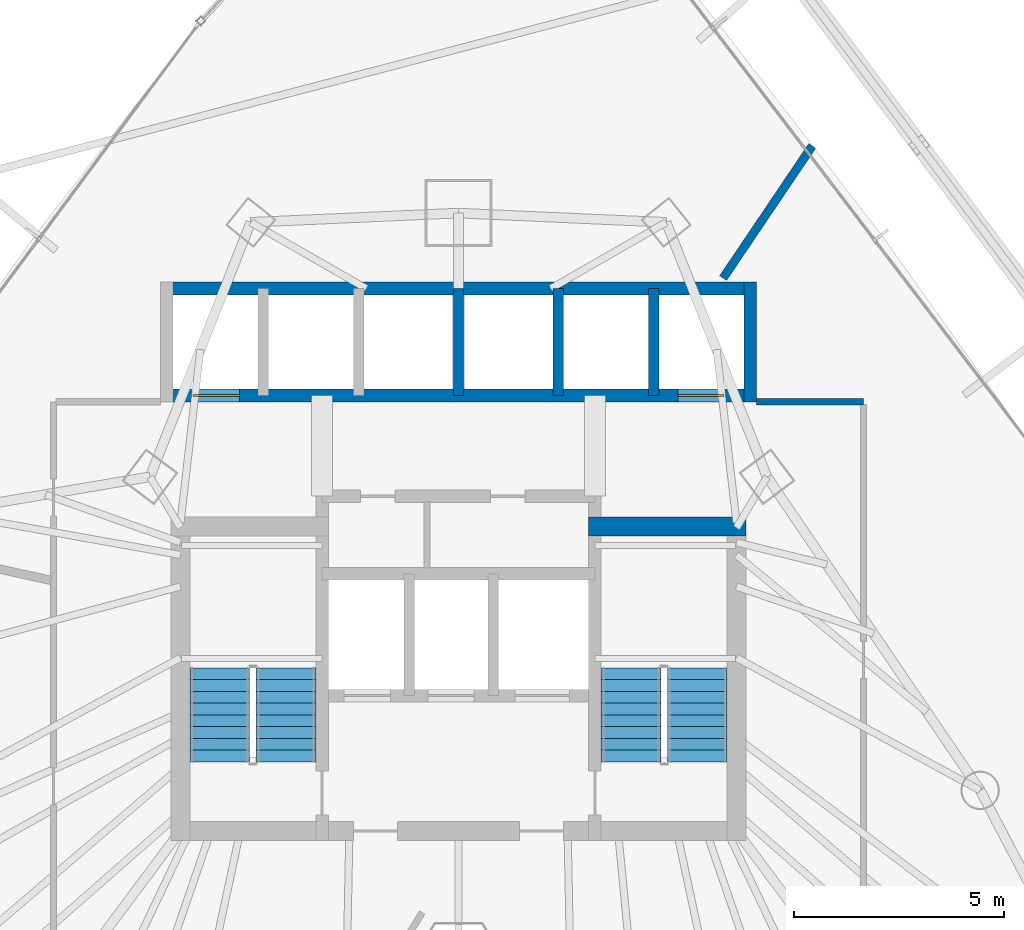
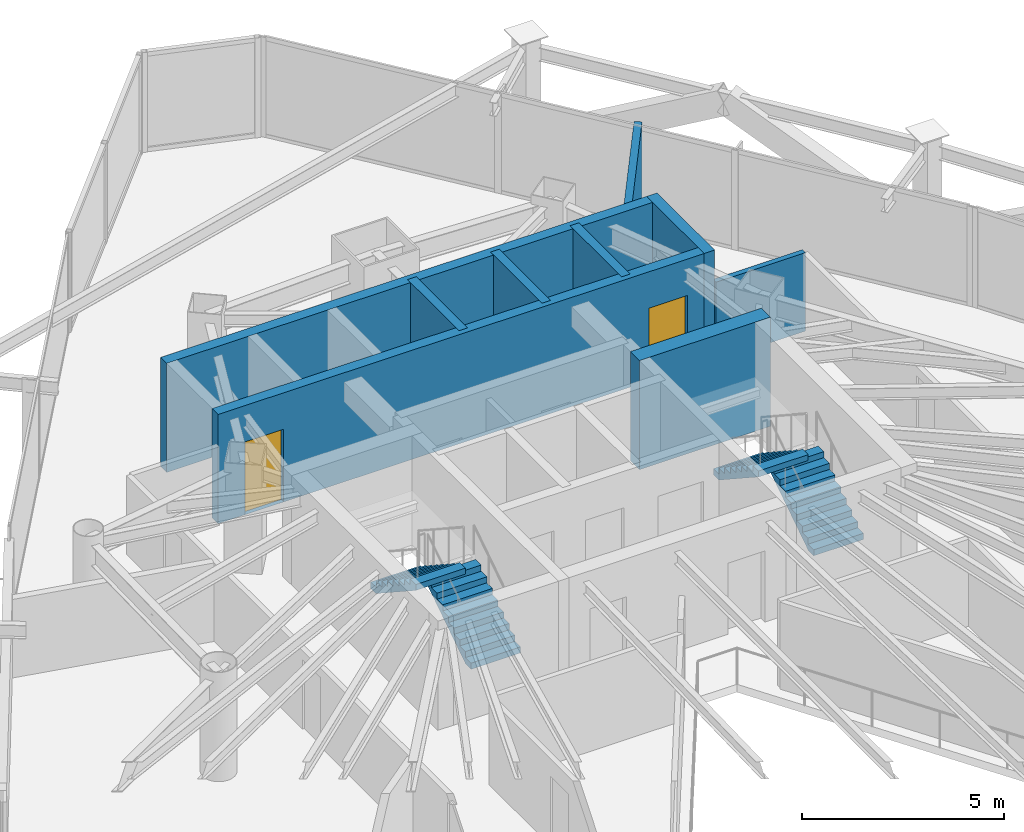
# One storey, part 34 of 38: 9 walls, 4 stair flights, 2 doors, 2 openings, 2 elements without a shape of their own.
"""IFC4 building model written with IfcOpenShell, lengths in metres."""

from ifc_helpers import new_model, si_unit, direction, frame, frame_2d, origin, place, context, subcontext, project, spatial, polyline, rectangle, outline, extrude, material, layer, layer_set, type_object, element, fill, aggregate, save


model = new_model("IFC4")

# Units and contexts
model_context = context("Model", 3, precision=1e-05, world=origin(), true_north=direction((0.0, 1.0)))
body_context = subcontext(model_context, "Body", "Model", "MODEL_VIEW")
ifc_project = project(units=[si_unit("LENGTHUNIT", "METRE"), si_unit("AREAUNIT", "SQUARE_METRE"), si_unit("VOLUMEUNIT", "CUBIC_METRE"), si_unit("PLANEANGLEUNIT", "RADIAN"), si_unit("MASSUNIT", "GRAM", prefix="KILO")], contexts=[model_context])

# Site, building, storey
site_placement = place(None, origin())
site = spatial("IfcSite", under=ifc_project, at=site_placement, CompositionType="ELEMENT")
building_placement = place(site_placement, origin())
building = spatial("IfcBuilding", under=site, at=building_placement, Name="Orvanel Arch Residences", CompositionType="ELEMENT")
storey_placement = place(building_placement, frame((0.0, 0.0, 56.60009765625)))
storey = spatial("IfcBuildingStorey", under=building, at=storey_placement, Name="L15", CompositionType="ELEMENT", Elevation=56.60009765625)

# Walls
ifc_material_1 = material(Name="Concrete N50 (50 MPa)", Category="concrete")
ifc_layer_1 = layer(ifc_material_1, 0.25)
ifc_layer_set_1 = layer_set([ifc_layer_1], Name="Concrete N50 (50 MPa)")
wall_type_1 = type_object("IfcWallType", Name="SW-CORE-250", PredefinedType="SHEAR", material=ifc_layer_set_1)
for number, where, z_axis, x_axis, name in (
    (1, (33.0, 37.050048828125, 0.0), (0.0, 0.0, 1.0), (0.0, 1.0, 0.0), "L15 Passenger Lift Inter-Shaft Wall P56"),
    (2, (35.375, 37.050048828125, 0.0), (0.0, 0.0, 1.0), (0.0, 1.0, 0.0), "L15 Passenger Lift Inter-Shaft Wall P64"),
    (3, (37.64990234375, 37.050048828125, 0.0), (0.0, 0.0, 1.0), (0.0, 1.0, 0.0), "L15 Passenger Lift Inter-Shaft Wall P42"),
):
    element("IfcWall", number, at=place(storey_placement, frame(where, z_axis=z_axis, x_axis=x_axis)), inside=storey, type_object=wall_type_1, Name=name, PredefinedType="SHEAR", context=body_context, shape_type="SweptSolid", body=[
        extrude(rectangle(XDim=2.550048828125, YDim=0.25, at=frame_2d((1.27490234375, 0.0))), origin(), (0.0, 0.0, 1.0), 3.2998046875),
    ])

# Wall, openings, doors
ifc_material_2 = material(Name="Concrete S80 (80 MPa)", Category="concrete")
ifc_layer_2 = layer(ifc_material_2, 0.300048828125)
ifc_layer_set_2 = layer_set([ifc_layer_2], Name="Concrete S80 (80 MPa)")
wall_type_2 = type_object("IfcWallType", Name="SW-CORE-300", PredefinedType="SHEAR", material=ifc_layer_set_2)
wall_1_placement = place(storey_placement, frame((40.10009765625, 37.050048828125, 0.0), z_axis=(0.0, 0.0, 1.0), x_axis=(-1.0, 0.0, 0.0)))
wall_1 = element("IfcWall", 4, at=wall_1_placement, inside=storey, type_object=wall_type_2, Name="L15 Passenger Lift Bank Front Shear Wall", PredefinedType="SHEAR", context=body_context, shape_type="SweptSolid", body=[
    extrude(rectangle(XDim=14.2001953125, YDim=0.300048828125, at=frame_2d((7.10009765625, 0.0))), origin(), (0.0, 0.0, 1.0), 3.2998046875),
])
opening_1_placement = place(wall_1_placement, frame((12.324951171875, 0.0, 0.0)))
opening_1 = element("IfcOpeningElement", 5, at=opening_1_placement, cuts=wall_1, Name="Opening LD-110", PredefinedType="OPENING", context=body_context, shape_type="SweptSolid", body=[
    extrude(rectangle(XDim=1.10009765625, YDim=2.199951171875, at=frame_2d((0.550048828125, 1.10009765625))), frame((0.0, 0.159912109375, 0.0), z_axis=(0.0, -1.0, 0.0), x_axis=(1.0, 0.0, 0.0)), (0.0, 0.0, 1.0), 0.320068359375),
])
opening_2_placement = place(wall_1_placement, frame((0.77490234375, 0.0, 0.0)))
opening_2 = element("IfcOpeningElement", 6, at=opening_2_placement, cuts=wall_1, Name="Opening LD-110", PredefinedType="OPENING", context=body_context, shape_type="SweptSolid", body=[
    extrude(rectangle(XDim=1.10009765625, YDim=2.199951171875, at=frame_2d((0.550048828125, 1.10009765625))), frame((0.0, 0.159912109375, 0.0), z_axis=(0.0, -1.0, 0.0), x_axis=(1.0, 0.0, 0.0)), (0.0, 0.0, 1.0), 0.320068359375),
])
ifc_material_3 = material(Name="Galvanised steel fire-resisting door assembly", Category="steel")
door_type = type_object("IfcDoorType", Name="DR-LFT-1100", OperationType="NOTDEFINED", PredefinedType="DOOR", material=ifc_material_3)
door_1_placement = place(opening_1_placement, origin())
door_1 = element("IfcDoor", 7, at=door_1_placement, inside=storey, type_object=door_type, Name="LD-P1-L15 L15 Passenger Lift P1 Sliding Landing Door", OperationType="DOUBLE_DOOR_SLIDING", OverallHeight=2.199951171875, OverallWidth=1.10009765625, PredefinedType="DOOR", context=body_context, shape_type="SweptSolid", body=[
    extrude(rectangle(XDim=1.10009765625, YDim=2.199951171875, at=frame_2d((0.550048828125, 1.10009765625))), frame((0.0, 0.02490234375, 0.0), z_axis=(0.0, -1.0, 0.0), x_axis=(1.0, 0.0, 0.0)), (0.0, 0.0, 1.0), 0.050048828125),
])
fill(opening_1, door_1)
door_2_placement = place(opening_2_placement, origin())
door_2 = element("IfcDoor", 8, at=door_2_placement, inside=storey, type_object=door_type, Name="LD-P2-L15 L15 Passenger Lift P2 Sliding Landing Door", OperationType="DOUBLE_DOOR_SLIDING", OverallHeight=2.199951171875, OverallWidth=1.10009765625, PredefinedType="DOOR", context=body_context, shape_type="SweptSolid", body=[
    extrude(rectangle(XDim=1.10009765625, YDim=2.199951171875, at=frame_2d((0.550048828125, 1.10009765625))), frame((0.0, 0.02490234375, 0.0), z_axis=(0.0, -1.0, 0.0), x_axis=(1.0, 0.0, 0.0)), (0.0, 0.0, 1.0), 0.050048828125),
])
fill(opening_2, door_2)

# Walls
wall_2_placement = place(storey_placement, frame((25.89990234375, 39.60009765625, 0.0), z_axis=(0.0, 0.0, 1.0), x_axis=(1.0, 0.0, 0.0)))
element("IfcWall", 9, at=wall_2_placement, inside=storey, type_object=wall_type_2, Name="L15 Passenger Lift Bank North Shear Wall", PredefinedType="SHEAR", context=body_context, shape_type="SweptSolid", body=[
    extrude(rectangle(XDim=14.2001953125, YDim=0.300048828125, at=frame_2d((7.10009765625, 0.0))), origin(), (0.0, 0.0, 1.0), 3.2998046875),
])
wall_3_placement = place(storey_placement, frame((39.949951171875, 36.89990234375, 0.0), z_axis=(0.0, 0.0, 1.0), x_axis=(0.0, 1.0, 0.0)))
element("IfcWall", 10, at=wall_3_placement, inside=storey, type_object=wall_type_2, Name="L15 Passenger Lift Bank East Shear Wall", PredefinedType="SHEAR", context=body_context, shape_type="SweptSolid", body=[
    extrude(rectangle(XDim=2.85009765625, YDim=0.300048828125, at=frame_2d((1.425048828125, 0.0))), origin(), (0.0, 0.0, 1.0), 3.2998046875),
])
ifc_layer_3 = layer(ifc_material_2, 0.449951171875)
ifc_layer_set_3 = layer_set([ifc_layer_3], Name="Concrete S80 (80 MPa)")
wall_type_3 = type_object("IfcWallType", Name="SW-CORE-450", PredefinedType="SHEAR", material=ifc_layer_set_3)
wall_4_placement = place(storey_placement, frame((36.10009765625, 33.925048828125, 0.0), z_axis=(0.0, 0.0, 1.0), x_axis=(1.0, 0.0, 0.0)))
element("IfcWall", 11, at=wall_4_placement, inside=storey, type_object=wall_type_3, Name="L15 East Stair North Shear Wall", PredefinedType="SHEAR", context=body_context, shape_type="SweptSolid", body=[
    extrude(rectangle(XDim=3.75, YDim=0.449951171875, at=frame_2d((1.875, 0.0))), origin(), (0.0, 0.0, 1.0), 3.2998046875),
])
ifc_material_4 = material(Name="Fire-rated plasterboard lined steel stud partition", Category="steel")
ifc_layer_4 = layer(ifc_material_4, 0.14990234375)
ifc_layer_set_4 = layer_set([ifc_layer_4], Name="Fire-rated plasterboard lined steel stud partition")
wall_type_4 = type_object("IfcWallType", Name="W-COR-150", PredefinedType="PARTITIONING", material=ifc_layer_set_4)
wall_5_placement = place(storey_placement, frame((40.10009765625, 36.89990234375, 0.0), z_axis=(0.0, 0.0, 1.0), x_axis=(1.0, 0.0, 0.0)))
element("IfcWall", 12, at=wall_5_placement, inside=storey, type_object=wall_type_4, Name="L15 Corridor Fire-Rated Partition", PredefinedType="PARTITIONING", context=body_context, shape_type="SweptSolid", body=[
    extrude(rectangle(XDim=2.5498046875, YDim=0.14990234375, at=frame_2d((1.27490234375, 0.0))), origin(), (0.0, 0.0, 1.0), 2.372802734375),
])
ifc_layer_5 = layer(ifc_material_4, 0.199951171875)
ifc_layer_set_5 = layer_set([ifc_layer_5], Name="Fire-rated plasterboard lined steel stud partition")
wall_type_5 = type_object("IfcWallType", Name="W-DEM-200", PredefinedType="PARTITIONING", material=ifc_layer_set_5)
wall_6_placement = place(storey_placement, frame((41.428955078125, 42.9970703125, 0.0), z_axis=(0.0, 0.0, 1.0), x_axis=(-0.559086144532, -0.829109572368, 0.0)))
element("IfcWall", 13, at=wall_6_placement, inside=storey, type_object=wall_type_5, Name="L15 Inter-Tenancy Acoustic Demising Wall", PredefinedType="PARTITIONING", context=body_context, shape_type="SweptSolid", body=[
    extrude(rectangle(XDim=3.795654296875, YDim=0.199951171875, at=frame_2d((1.89794921875, 0.0))), origin(), (0.0, 0.0, 1.0), 3.02001953125),
])

# Stair, stair flights
ifc_material_5 = material(Name="Precast concrete N50 (50 MPa)", Category="concrete")
stair_type = type_object("IfcStairType", Name="STR-DOG-184", PredefinedType="USERDEFINED", material=ifc_material_5)
stair_1_placement = place(storey_placement, origin())
stair_1 = element("IfcStair", 14, at=stair_1_placement, inside=storey, type_object=stair_type, Name="L15 Fire-Isolated Core Exit Stair 1", ObjectType="TWO_RETURN_STAIR", PredefinedType="USERDEFINED")
stair_flight_type_1 = type_object("IfcStairFlightType", Name="SFL-C1-184", PredefinedType="STRAIGHT", material=ifc_material_5)
stair_flight_1_placement = place(storey_placement, frame((28.889892578125, 28.320068359375, 0.0), z_axis=(0.0, 0.0, 1.0), x_axis=(0.0, 1.0, 0.0)))
stair_flight_1 = element("IfcStairFlight", 15, at=stair_flight_1_placement, type_object=stair_flight_type_1, Name="ST-1 flight 1", NumberOfRisers=9, NumberOfTreads=8, PredefinedType="STRAIGHT", RiserHeight=0.183333333, TreadLength=0.28, context=body_context, shape_type="SweptSolid", body=[
    extrude(outline(polyline([(0.0, 0.0), (0.0, 0.183349609375), (0.280029296875, 0.183349609375), (0.280029296875, 0.36669921875), (0.56005859375, 0.36669921875), (0.56005859375, 0.550048828125), (0.840087890625, 0.550048828125), (0.840087890625, 0.7333984375), (1.1201171875, 0.7333984375), (1.1201171875, 0.916748046875), (1.39990234375, 0.916748046875), (1.39990234375, 1.10009765625), (1.679931640625, 1.10009765625), (1.679931640625, 1.283447265625), (1.9599609375, 1.283447265625), (1.9599609375, 1.466552734375), (2.239990234375, 1.466552734375), (2.239990234375, 1.64990234375), (2.239990234375, 1.28759765625), (0.273681640625, 0.0), (0.0, 0.0)])), frame((0.0, 0.7099609375, 0.0), z_axis=(0.0, -1.0, 0.0), x_axis=(1.0, 0.0, 0.0)), (0.0, 0.0, 1.0), 1.419921875),
])
stair_flight_2_placement = place(storey_placement, frame((27.31005859375, 30.56005859375, 1.64990234375), z_axis=(0.0, 0.0, 1.0), x_axis=(0.0, -1.0, 0.0)))
stair_flight_2 = element("IfcStairFlight", 16, at=stair_flight_2_placement, type_object=stair_flight_type_1, Name="ST-1 flight 2", NumberOfRisers=9, NumberOfTreads=8, PredefinedType="STRAIGHT", RiserHeight=0.183333333, TreadLength=0.28, context=body_context, shape_type="SweptSolid", body=[
    extrude(outline(polyline([(0.0, 0.0), (0.0, 0.183349609375), (0.280029296875, 0.183349609375), (0.280029296875, 0.36669921875), (0.56005859375, 0.36669921875), (0.56005859375, 0.550048828125), (0.840087890625, 0.550048828125), (0.840087890625, 0.7333984375), (1.1201171875, 0.7333984375), (1.1201171875, 0.916748046875), (1.39990234375, 0.916748046875), (1.39990234375, 1.10009765625), (1.679931640625, 1.10009765625), (1.679931640625, 1.283447265625), (1.9599609375, 1.283447265625), (1.9599609375, 1.466552734375), (2.239990234375, 1.466552734375), (2.239990234375, 1.64990234375), (2.239990234375, 1.28759765625), (0.273681640625, 0.0), (0.0, 0.0)])), frame((0.0, 0.7099609375, 0.0), z_axis=(0.0, -1.0, 0.0), x_axis=(1.0, 0.0, 0.0)), (0.0, 0.0, 1.0), 1.419921875),
])
aggregate(stair_1, [stair_flight_1, stair_flight_2])

stair_2_placement = place(storey_placement, origin())
stair_2 = element("IfcStair", 17, at=stair_2_placement, inside=storey, type_object=stair_type, Name="L15 Fire-Isolated Core Exit Stair 2", ObjectType="TWO_RETURN_STAIR", PredefinedType="USERDEFINED")
stair_flight_type_2 = type_object("IfcStairFlightType", Name="SFL-C2-184", PredefinedType="STRAIGHT", material=ifc_material_5)
stair_flight_3_placement = place(storey_placement, frame((38.68994140625, 28.320068359375, 0.0), z_axis=(0.0, 0.0, 1.0), x_axis=(0.0, 1.0, 0.0)))
stair_flight_3 = element("IfcStairFlight", 18, at=stair_flight_3_placement, type_object=stair_flight_type_2, Name="ST-2 flight 1", NumberOfRisers=9, NumberOfTreads=8, PredefinedType="STRAIGHT", RiserHeight=0.183333333, TreadLength=0.28, context=body_context, shape_type="SweptSolid", body=[
    extrude(outline(polyline([(0.0, 0.0), (0.0, 0.183349609375), (0.280029296875, 0.183349609375), (0.280029296875, 0.36669921875), (0.56005859375, 0.36669921875), (0.56005859375, 0.550048828125), (0.840087890625, 0.550048828125), (0.840087890625, 0.7333984375), (1.1201171875, 0.7333984375), (1.1201171875, 0.916748046875), (1.39990234375, 0.916748046875), (1.39990234375, 1.10009765625), (1.679931640625, 1.10009765625), (1.679931640625, 1.283447265625), (1.9599609375, 1.283447265625), (1.9599609375, 1.466552734375), (2.239990234375, 1.466552734375), (2.239990234375, 1.64990234375), (2.239990234375, 1.28759765625), (0.273681640625, 0.0), (0.0, 0.0)])), frame((0.0, 0.7099609375, 0.0), z_axis=(0.0, -1.0, 0.0), x_axis=(1.0, 0.0, 0.0)), (0.0, 0.0, 1.0), 1.419921875),
])
stair_flight_4_placement = place(storey_placement, frame((37.110107421875, 30.56005859375, 1.64990234375), z_axis=(0.0, 0.0, 1.0), x_axis=(0.0, -1.0, 0.0)))
stair_flight_4 = element("IfcStairFlight", 19, at=stair_flight_4_placement, type_object=stair_flight_type_2, Name="ST-2 flight 2", NumberOfRisers=9, NumberOfTreads=8, PredefinedType="STRAIGHT", RiserHeight=0.183333333, TreadLength=0.28, context=body_context, shape_type="SweptSolid", body=[
    extrude(outline(polyline([(0.0, 0.0), (0.0, 0.183349609375), (0.280029296875, 0.183349609375), (0.280029296875, 0.36669921875), (0.56005859375, 0.36669921875), (0.56005859375, 0.550048828125), (0.840087890625, 0.550048828125), (0.840087890625, 0.7333984375), (1.1201171875, 0.7333984375), (1.1201171875, 0.916748046875), (1.39990234375, 0.916748046875), (1.39990234375, 1.10009765625), (1.679931640625, 1.10009765625), (1.679931640625, 1.283447265625), (1.9599609375, 1.283447265625), (1.9599609375, 1.466552734375), (2.239990234375, 1.466552734375), (2.239990234375, 1.64990234375), (2.239990234375, 1.28759765625), (0.273681640625, 0.0), (0.0, 0.0)])), frame((0.0, 0.7099609375, 0.0), z_axis=(0.0, -1.0, 0.0), x_axis=(1.0, 0.0, 0.0)), (0.0, 0.0, 1.0), 1.419921875),
])
aggregate(stair_2, [stair_flight_3, stair_flight_4])

save(model, "model.ifc")
